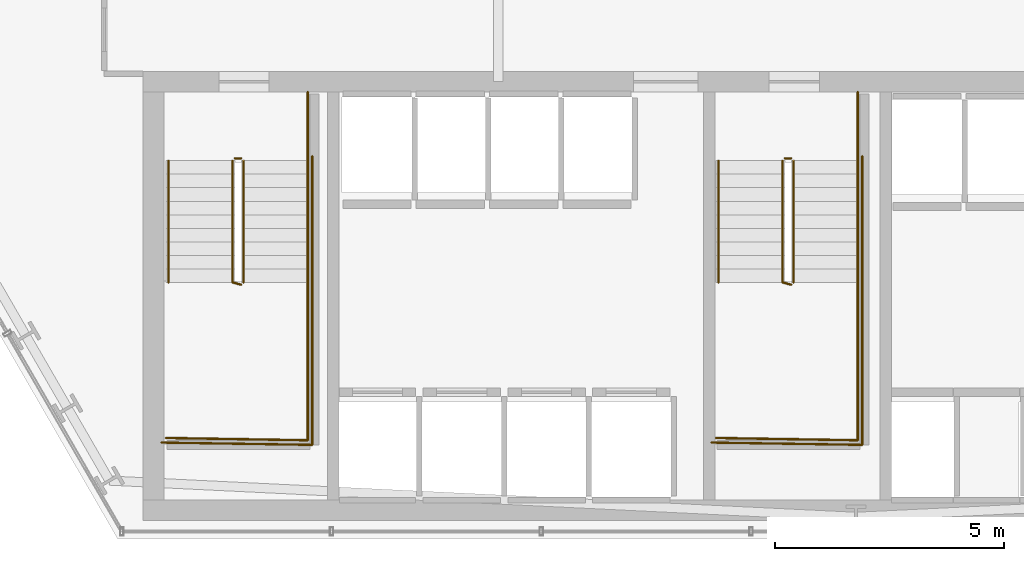
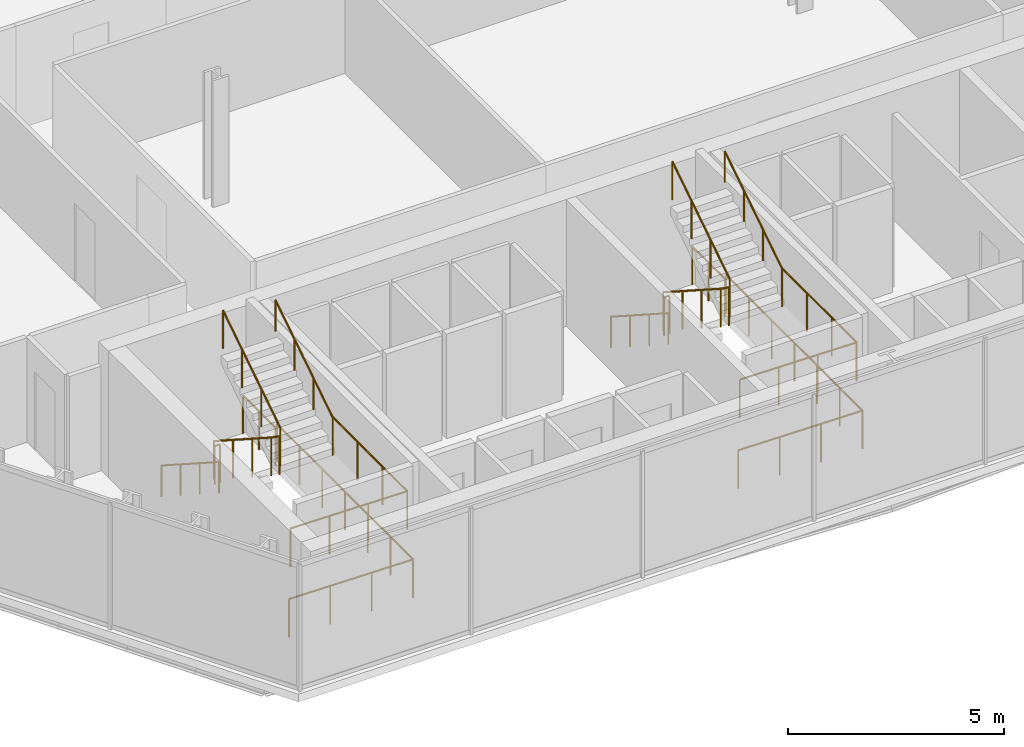
# One storey, part 30 of 32: 16 railings.
"""IFC4 building model written with IfcOpenShell, lengths in metres."""

from ifc_helpers import new_model, si_unit, direction, frame, origin, origin_2d, place, context, subcontext, project, spatial, circle, extrude, material, layer, layer_set, type_object, element, save


model = new_model("IFC4")

# Units and contexts
model_context = context("Model", 3, precision=1e-05, world=origin(), true_north=direction((0.0, 1.0)))
body_context = subcontext(model_context, "Body", "Model", "MODEL_VIEW")
ifc_project = project(units=[si_unit("LENGTHUNIT", "METRE"), si_unit("AREAUNIT", "SQUARE_METRE"), si_unit("VOLUMEUNIT", "CUBIC_METRE"), si_unit("PLANEANGLEUNIT", "RADIAN"), si_unit("MASSUNIT", "GRAM", prefix="KILO")], contexts=[model_context])

# Site, building, storey
site_placement = place(None, origin())
site = spatial("IfcSite", under=ifc_project, at=site_placement, CompositionType="ELEMENT")
building_placement = place(site_placement, origin())
building = spatial("IfcBuilding", under=site, at=building_placement, Name="Ndaravel Arena Tower", CompositionType="ELEMENT")
storey_placement = place(building_placement, frame((0.0, 0.0, 70.199951171875)))
storey = spatial("IfcBuildingStorey", under=building, at=storey_placement, Name="L15", CompositionType="ELEMENT", Elevation=70.199951171875)

# Railings
ifc_material_1 = material(Name="Steel S355", Category="steel")
ifc_layer_1 = layer(ifc_material_1, 0.06005859375)
ifc_layer_set_1 = layer_set([ifc_layer_1], Name="Steel S355")
railing_type_1 = type_object("IfcRailingType", Name="RAIL-STAIR-GD1100", PredefinedType="GUARDRAIL", material=ifc_layer_set_1)
railing_1_placement = place(storey_placement, frame((28.39990234375, 13.25, 0.18994140625)))
element("IfcRailing", 1, at=railing_1_placement, inside=storey, type_object=railing_type_1, Name="L15 ST-1 stair guard 1", PredefinedType="GUARDRAIL", context=body_context, shape_type="SweptSolid", body=[
    extrude(circle(Radius=0.02392578125, at=origin_2d()), frame((0.0, 0.0, 1.076171875), z_axis=(0.0, -0.840688348013, 0.541519253134), x_axis=(1.0, 0.0, 0.0)), (0.0, 0.0, 1.0), 3.158203125),
    extrude(circle(Radius=0.02392578125, at=origin_2d()), frame((0.0, -2.655029296875, 2.7861328125), z_axis=(0.967074537263, -0.25449329928, 0.0), x_axis=(0.25449329928, 0.967074537263, 0.0)), (0.0, 0.0, 1.0), 0.19677734375),
    extrude(circle(Radius=0.02099609375, at=origin_2d()), origin(), (0.0, 0.0, 1.0), 1.052001953125),
    extrude(circle(Radius=0.02099609375, at=origin_2d()), frame((0.0, -0.885009765625, 0.570068359375)), (0.0, 0.0, 1.0), 1.052001953125),
    extrude(circle(Radius=0.02099609375, at=origin_2d()), frame((0.0, -1.77001953125, 1.14013671875)), (0.0, 0.0, 1.0), 1.052001953125),
    extrude(circle(Radius=0.02099609375, at=origin_2d()), frame((0.0, -2.655029296875, 1.710205078125)), (0.0, 0.0, 1.0), 1.052001953125),
    extrude(circle(Radius=0.02099609375, at=origin_2d()), frame((0.190185546875, -2.705078125, 1.710205078125)), (0.0, 0.0, 1.0), 1.052001953125),
])
railing_2_placement = place(storey_placement, frame((30.0400390625, 10.594970703125, 1.900146484375)))
element("IfcRailing", 2, at=railing_2_placement, inside=storey, type_object=railing_type_1, Name="L15 ST-1 stair guard 2", PredefinedType="GUARDRAIL", context=body_context, shape_type="SweptSolid", body=[
    extrude(circle(Radius=0.02392578125, at=origin_2d()), frame((0.0, 0.0, 1.076171875), z_axis=(0.0, -1.0, 0.0), x_axis=(1.0, 0.0, 0.0)), (0.0, 0.0, 1.0), 3.445068359375),
    extrude(circle(Radius=0.02392578125, at=origin_2d()), frame((0.0, -3.445068359375, 1.076171875), z_axis=(-0.999868861343, 0.016194447071, 0.0), x_axis=(-0.016194447071, -0.999868861343, 0.0)), (0.0, 0.0, 1.0), 3.090576171875),
    extrude(circle(Radius=0.02099609375, at=origin_2d()), origin(), (0.0, 0.0, 1.0), 1.052001953125),
    extrude(circle(Radius=0.02099609375, at=origin_2d()), frame((0.0, -1.1484375, 0.0)), (0.0, 0.0, 1.0), 1.052001953125),
    extrude(circle(Radius=0.02099609375, at=origin_2d()), frame((0.0, -2.296630859375, 0.0)), (0.0, 0.0, 1.0), 1.052001953125),
    extrude(circle(Radius=0.02099609375, at=origin_2d()), frame((0.0, -3.445068359375, 0.0)), (0.0, 0.0, 1.0), 1.052001953125),
    extrude(circle(Radius=0.02099609375, at=origin_2d()), frame((-1.030029296875, -3.428466796875, 0.0)), (0.0, 0.0, 1.0), 1.052001953125),
    extrude(circle(Radius=0.02099609375, at=origin_2d()), frame((-2.06005859375, -3.41162109375, 0.0)), (0.0, 0.0, 1.0), 1.052001953125),
    extrude(circle(Radius=0.02099609375, at=origin_2d()), frame((-3.090087890625, -3.39501953125, 0.0)), (0.0, 0.0, 1.0), 1.052001953125),
])
railing_3_placement = place(storey_placement, frame((28.639892578125, 10.594970703125, 2.090087890625)))
element("IfcRailing", 3, at=railing_3_placement, inside=storey, type_object=railing_type_1, Name="L15 ST-1 stair guard 3", PredefinedType="GUARDRAIL", context=body_context, shape_type="SweptSolid", body=[
    extrude(circle(Radius=0.02392578125, at=origin_2d()), frame((0.0, 0.0, 1.076171875), z_axis=(0.0, 0.840723540582, 0.54146461409), x_axis=(-1.0, 0.0, 0.0)), (0.0, 0.0, 1.0), 3.157958984375),
    extrude(circle(Radius=0.02099609375, at=origin_2d()), origin(), (0.0, 0.0, 1.0), 1.052001953125),
    extrude(circle(Radius=0.02099609375, at=origin_2d()), frame((0.0, 0.885009765625, 0.570068359375)), (0.0, 0.0, 1.0), 1.052001953125),
    extrude(circle(Radius=0.02099609375, at=origin_2d()), frame((0.0, 1.77001953125, 1.139892578125)), (0.0, 0.0, 1.0), 1.052001953125),
    extrude(circle(Radius=0.02099609375, at=origin_2d()), frame((0.0, 2.655029296875, 1.7099609375)), (0.0, 0.0, 1.0), 1.052001953125),
])
railing_4_placement = place(storey_placement, frame((28.449951171875, 13.300048828125, 0.0)))
element("IfcRailing", 4, at=railing_4_placement, inside=storey, type_object=railing_type_1, Name="L15 ST-1 stair guard 4", PredefinedType="GUARDRAIL", context=body_context, shape_type="SweptSolid", body=[
    extrude(circle(Radius=0.02392578125, at=origin_2d()), frame((0.0, 0.0, 1.076171875), z_axis=(1.0, 0.0, 0.0), x_axis=(0.0, 1.0, 0.0)), (0.0, 0.0, 1.0), 0.14013671875),
    extrude(circle(Radius=0.02099609375, at=origin_2d()), origin(), (0.0, 0.0, 1.0), 1.052001953125),
    extrude(circle(Radius=0.02099609375, at=origin_2d()), frame((0.14013671875, 0.0, 0.0)), (0.0, 0.0, 1.0), 1.052001953125),
])
railing_5_placement = place(storey_placement, frame((30.0400390625, 14.75, 0.0)))
element("IfcRailing", 5, at=railing_5_placement, inside=storey, type_object=railing_type_1, Name="L15 ST-1 stair guard 5", PredefinedType="GUARDRAIL", context=body_context, shape_type="SweptSolid", body=[
    extrude(circle(Radius=0.02392578125, at=origin_2d()), frame((0.0, 0.0, 1.076171875), z_axis=(0.0, -1.0, 0.0), x_axis=(1.0, 0.0, 0.0)), (0.0, 0.0, 1.0), 1.5),
    extrude(circle(Radius=0.02099609375, at=origin_2d()), origin(), (0.0, 0.0, 1.0), 1.052001953125),
    extrude(circle(Radius=0.02099609375, at=origin_2d()), frame((0.0, -0.75, 0.0)), (0.0, 0.0, 1.0), 1.052001953125),
    extrude(circle(Radius=0.02099609375, at=origin_2d()), frame((0.0, -1.5, 0.0)), (0.0, 0.0, 1.0), 1.052001953125),
])
railing_6_placement = place(storey_placement, frame((30.139892578125, 13.35009765625, 0.0)))
element("IfcRailing", 6, at=railing_6_placement, inside=storey, type_object=railing_type_1, Name="L15 ST-1 stair guard 6", PredefinedType="GUARDRAIL", context=body_context, shape_type="SweptSolid", body=[
    extrude(circle(Radius=0.02392578125, at=origin_2d()), frame((0.0, 0.0, 1.076171875), z_axis=(0.0, -1.0, 0.0), x_axis=(1.0, 0.0, 0.0)), (0.0, 0.0, 1.0), 6.300048828125),
    extrude(circle(Radius=0.02392578125, at=origin_2d()), frame((0.0, -6.300048828125, 1.076171875), z_axis=(-0.999884296952, 0.015211597839, 0.0), x_axis=(-0.015211597839, -0.999884296952, 0.0)), (0.0, 0.0, 1.0), 3.290283203125),
    extrude(circle(Radius=0.02099609375, at=origin_2d()), origin(), (0.0, 0.0, 1.0), 1.052001953125),
    extrude(circle(Radius=0.02099609375, at=origin_2d()), frame((0.0, -1.050048828125, 0.0)), (0.0, 0.0, 1.0), 1.052001953125),
    extrude(circle(Radius=0.02099609375, at=origin_2d()), frame((0.0, -2.10009765625, 0.0)), (0.0, 0.0, 1.0), 1.052001953125),
    extrude(circle(Radius=0.02099609375, at=origin_2d()), frame((0.0, -3.14990234375, 0.0)), (0.0, 0.0, 1.0), 1.052001953125),
    extrude(circle(Radius=0.02099609375, at=origin_2d()), frame((0.0, -4.199951171875, 0.0)), (0.0, 0.0, 1.0), 1.052001953125),
    extrude(circle(Radius=0.02099609375, at=origin_2d()), frame((0.0, -5.25, 0.0)), (0.0, 0.0, 1.0), 1.052001953125),
    extrude(circle(Radius=0.02099609375, at=origin_2d()), frame((0.0, -6.300048828125, 0.0)), (0.0, 0.0, 1.0), 1.052001953125),
    extrude(circle(Radius=0.02099609375, at=origin_2d()), frame((-1.0966796875, -6.283447265625, 0.0)), (0.0, 0.0, 1.0), 1.052001953125),
    extrude(circle(Radius=0.02099609375, at=origin_2d()), frame((-2.193115234375, -6.2666015625, 0.0)), (0.0, 0.0, 1.0), 1.052001953125),
    extrude(circle(Radius=0.02099609375, at=origin_2d()), frame((-3.289794921875, -6.25, 0.0)), (0.0, 0.0, 1.0), 1.052001953125),
])
railing_7_placement = place(storey_placement, frame((40.39990234375, 13.25, 0.18994140625)))
element("IfcRailing", 7, at=railing_7_placement, inside=storey, type_object=railing_type_1, Name="L15 ST-2 stair guard 1", PredefinedType="GUARDRAIL", context=body_context, shape_type="SweptSolid", body=[
    extrude(circle(Radius=0.02392578125, at=origin_2d()), frame((0.0, 0.0, 1.076171875), z_axis=(0.0, -0.840688348013, 0.541519253134), x_axis=(1.0, 0.0, 0.0)), (0.0, 0.0, 1.0), 3.158203125),
    extrude(circle(Radius=0.02392578125, at=origin_2d()), frame((0.0, -2.655029296875, 2.7861328125), z_axis=(0.967074537263, -0.25449329928, 0.0), x_axis=(0.25449329928, 0.967074537263, 0.0)), (0.0, 0.0, 1.0), 0.19677734375),
    extrude(circle(Radius=0.02099609375, at=origin_2d()), origin(), (0.0, 0.0, 1.0), 1.052001953125),
    extrude(circle(Radius=0.02099609375, at=origin_2d()), frame((0.0, -0.885009765625, 0.570068359375)), (0.0, 0.0, 1.0), 1.052001953125),
    extrude(circle(Radius=0.02099609375, at=origin_2d()), frame((0.0, -1.77001953125, 1.14013671875)), (0.0, 0.0, 1.0), 1.052001953125),
    extrude(circle(Radius=0.02099609375, at=origin_2d()), frame((0.0, -2.655029296875, 1.710205078125)), (0.0, 0.0, 1.0), 1.052001953125),
    extrude(circle(Radius=0.02099609375, at=origin_2d()), frame((0.190185546875, -2.705078125, 1.710205078125)), (0.0, 0.0, 1.0), 1.052001953125),
])
railing_8_placement = place(storey_placement, frame((42.0400390625, 10.594970703125, 1.900146484375)))
element("IfcRailing", 8, at=railing_8_placement, inside=storey, type_object=railing_type_1, Name="L15 ST-2 stair guard 2", PredefinedType="GUARDRAIL", context=body_context, shape_type="SweptSolid", body=[
    extrude(circle(Radius=0.02392578125, at=origin_2d()), frame((0.0, 0.0, 1.076171875), z_axis=(0.0, -1.0, 0.0), x_axis=(1.0, 0.0, 0.0)), (0.0, 0.0, 1.0), 3.445068359375),
    extrude(circle(Radius=0.02392578125, at=origin_2d()), frame((0.0, -3.445068359375, 1.076171875), z_axis=(-0.999868861343, 0.016194447071, 0.0), x_axis=(-0.016194447071, -0.999868861343, 0.0)), (0.0, 0.0, 1.0), 3.090576171875),
    extrude(circle(Radius=0.02099609375, at=origin_2d()), origin(), (0.0, 0.0, 1.0), 1.052001953125),
    extrude(circle(Radius=0.02099609375, at=origin_2d()), frame((0.0, -1.1484375, 0.0)), (0.0, 0.0, 1.0), 1.052001953125),
    extrude(circle(Radius=0.02099609375, at=origin_2d()), frame((0.0, -2.296630859375, 0.0)), (0.0, 0.0, 1.0), 1.052001953125),
    extrude(circle(Radius=0.02099609375, at=origin_2d()), frame((0.0, -3.445068359375, 0.0)), (0.0, 0.0, 1.0), 1.052001953125),
    extrude(circle(Radius=0.02099609375, at=origin_2d()), frame((-1.030029296875, -3.428466796875, 0.0)), (0.0, 0.0, 1.0), 1.052001953125),
    extrude(circle(Radius=0.02099609375, at=origin_2d()), frame((-2.06005859375, -3.41162109375, 0.0)), (0.0, 0.0, 1.0), 1.052001953125),
    extrude(circle(Radius=0.02099609375, at=origin_2d()), frame((-3.090087890625, -3.39501953125, 0.0)), (0.0, 0.0, 1.0), 1.052001953125),
])
railing_9_placement = place(storey_placement, frame((40.639892578125, 10.594970703125, 2.090087890625)))
element("IfcRailing", 9, at=railing_9_placement, inside=storey, type_object=railing_type_1, Name="L15 ST-2 stair guard 3", PredefinedType="GUARDRAIL", context=body_context, shape_type="SweptSolid", body=[
    extrude(circle(Radius=0.02392578125, at=origin_2d()), frame((0.0, 0.0, 1.076171875), z_axis=(0.0, 0.840723540582, 0.54146461409), x_axis=(-1.0, 0.0, 0.0)), (0.0, 0.0, 1.0), 3.157958984375),
    extrude(circle(Radius=0.02099609375, at=origin_2d()), origin(), (0.0, 0.0, 1.0), 1.052001953125),
    extrude(circle(Radius=0.02099609375, at=origin_2d()), frame((0.0, 0.885009765625, 0.570068359375)), (0.0, 0.0, 1.0), 1.052001953125),
    extrude(circle(Radius=0.02099609375, at=origin_2d()), frame((0.0, 1.77001953125, 1.139892578125)), (0.0, 0.0, 1.0), 1.052001953125),
    extrude(circle(Radius=0.02099609375, at=origin_2d()), frame((0.0, 2.655029296875, 1.7099609375)), (0.0, 0.0, 1.0), 1.052001953125),
])
railing_10_placement = place(storey_placement, frame((40.449951171875, 13.300048828125, 0.0)))
element("IfcRailing", 10, at=railing_10_placement, inside=storey, type_object=railing_type_1, Name="L15 ST-2 stair guard 4", PredefinedType="GUARDRAIL", context=body_context, shape_type="SweptSolid", body=[
    extrude(circle(Radius=0.02392578125, at=origin_2d()), frame((0.0, 0.0, 1.076171875), z_axis=(1.0, 0.0, 0.0), x_axis=(0.0, 1.0, 0.0)), (0.0, 0.0, 1.0), 0.14013671875),
    extrude(circle(Radius=0.02099609375, at=origin_2d()), origin(), (0.0, 0.0, 1.0), 1.052001953125),
    extrude(circle(Radius=0.02099609375, at=origin_2d()), frame((0.14013671875, 0.0, 0.0)), (0.0, 0.0, 1.0), 1.052001953125),
])
railing_11_placement = place(storey_placement, frame((42.0400390625, 14.75, 0.0)))
element("IfcRailing", 11, at=railing_11_placement, inside=storey, type_object=railing_type_1, Name="L15 ST-2 stair guard 5", PredefinedType="GUARDRAIL", context=body_context, shape_type="SweptSolid", body=[
    extrude(circle(Radius=0.02392578125, at=origin_2d()), frame((0.0, 0.0, 1.076171875), z_axis=(0.0, -1.0, 0.0), x_axis=(1.0, 0.0, 0.0)), (0.0, 0.0, 1.0), 1.5),
    extrude(circle(Radius=0.02099609375, at=origin_2d()), origin(), (0.0, 0.0, 1.0), 1.052001953125),
    extrude(circle(Radius=0.02099609375, at=origin_2d()), frame((0.0, -0.75, 0.0)), (0.0, 0.0, 1.0), 1.052001953125),
    extrude(circle(Radius=0.02099609375, at=origin_2d()), frame((0.0, -1.5, 0.0)), (0.0, 0.0, 1.0), 1.052001953125),
])
railing_12_placement = place(storey_placement, frame((42.139892578125, 13.35009765625, 0.0)))
element("IfcRailing", 12, at=railing_12_placement, inside=storey, type_object=railing_type_1, Name="L15 ST-2 stair guard 6", PredefinedType="GUARDRAIL", context=body_context, shape_type="SweptSolid", body=[
    extrude(circle(Radius=0.02392578125, at=origin_2d()), frame((0.0, 0.0, 1.076171875), z_axis=(0.0, -1.0, 0.0), x_axis=(1.0, 0.0, 0.0)), (0.0, 0.0, 1.0), 6.300048828125),
    extrude(circle(Radius=0.02392578125, at=origin_2d()), frame((0.0, -6.300048828125, 1.076171875), z_axis=(-0.999884296952, 0.015211597839, 0.0), x_axis=(-0.015211597839, -0.999884296952, 0.0)), (0.0, 0.0, 1.0), 3.290283203125),
    extrude(circle(Radius=0.02099609375, at=origin_2d()), origin(), (0.0, 0.0, 1.0), 1.052001953125),
    extrude(circle(Radius=0.02099609375, at=origin_2d()), frame((0.0, -1.050048828125, 0.0)), (0.0, 0.0, 1.0), 1.052001953125),
    extrude(circle(Radius=0.02099609375, at=origin_2d()), frame((0.0, -2.10009765625, 0.0)), (0.0, 0.0, 1.0), 1.052001953125),
    extrude(circle(Radius=0.02099609375, at=origin_2d()), frame((0.0, -3.14990234375, 0.0)), (0.0, 0.0, 1.0), 1.052001953125),
    extrude(circle(Radius=0.02099609375, at=origin_2d()), frame((0.0, -4.199951171875, 0.0)), (0.0, 0.0, 1.0), 1.052001953125),
    extrude(circle(Radius=0.02099609375, at=origin_2d()), frame((0.0, -5.25, 0.0)), (0.0, 0.0, 1.0), 1.052001953125),
    extrude(circle(Radius=0.02099609375, at=origin_2d()), frame((0.0, -6.300048828125, 0.0)), (0.0, 0.0, 1.0), 1.052001953125),
    extrude(circle(Radius=0.02099609375, at=origin_2d()), frame((-1.0966796875, -6.283447265625, 0.0)), (0.0, 0.0, 1.0), 1.052001953125),
    extrude(circle(Radius=0.02099609375, at=origin_2d()), frame((-2.193115234375, -6.2666015625, 0.0)), (0.0, 0.0, 1.0), 1.052001953125),
    extrude(circle(Radius=0.02099609375, at=origin_2d()), frame((-3.289794921875, -6.25, 0.0)), (0.0, 0.0, 1.0), 1.052001953125),
])
ifc_material_2 = material(Name="Steel S355", Category="steel")
ifc_layer_2 = layer(ifc_material_2, 0.050048828125)
ifc_layer_set_2 = layer_set([ifc_layer_2], Name="Steel S355")
railing_type_2 = type_object("IfcRailingType", Name="RAIL-STAIR-HR920", PredefinedType="HANDRAIL", material=ifc_layer_set_2)
railing_13_placement = place(storey_placement, frame((27.0, 13.25, 0.18994140625)))
element("IfcRailing", 13, at=railing_13_placement, inside=storey, type_object=railing_type_2, Name="L15 ST-1 stair handrail 1", PredefinedType="HANDRAIL", context=body_context, shape_type="SweptSolid", body=[
    extrude(circle(Radius=0.02392578125, at=origin_2d()), frame((0.0, 0.0, 0.8759765625), z_axis=(0.0, -0.840688348013, 0.541519253134), x_axis=(1.0, 0.0, 0.0)), (0.0, 0.0, 1.0), 3.158203125),
    extrude(circle(Radius=0.02099609375, at=origin_2d()), origin(), (0.0, 0.0, 1.0), 0.851806640625),
    extrude(circle(Radius=0.02099609375, at=origin_2d()), frame((0.0, -0.885009765625, 0.570068359375)), (0.0, 0.0, 1.0), 0.851806640625),
    extrude(circle(Radius=0.02099609375, at=origin_2d()), frame((0.0, -1.77001953125, 1.14013671875)), (0.0, 0.0, 1.0), 0.851806640625),
    extrude(circle(Radius=0.02099609375, at=origin_2d()), frame((0.0, -2.655029296875, 1.710205078125)), (0.0, 0.0, 1.0), 0.851806640625),
])
railing_14_placement = place(storey_placement, frame((30.0400390625, 10.594970703125, 2.090087890625)))
element("IfcRailing", 14, at=railing_14_placement, inside=storey, type_object=railing_type_2, Name="L15 ST-1 stair handrail 2", PredefinedType="HANDRAIL", context=body_context, shape_type="SweptSolid", body=[
    extrude(circle(Radius=0.02392578125, at=origin_2d()), frame((0.0, 0.0, 0.8759765625), z_axis=(0.0, 0.840723540582, 0.54146461409), x_axis=(-1.0, 0.0, 0.0)), (0.0, 0.0, 1.0), 3.157958984375),
    extrude(circle(Radius=0.02099609375, at=origin_2d()), origin(), (0.0, 0.0, 1.0), 0.851806640625),
    extrude(circle(Radius=0.02099609375, at=origin_2d()), frame((0.0, 0.885009765625, 0.570068359375)), (0.0, 0.0, 1.0), 0.851806640625),
    extrude(circle(Radius=0.02099609375, at=origin_2d()), frame((0.0, 1.77001953125, 1.139892578125)), (0.0, 0.0, 1.0), 0.851806640625),
    extrude(circle(Radius=0.02099609375, at=origin_2d()), frame((0.0, 2.655029296875, 1.7099609375)), (0.0, 0.0, 1.0), 0.851806640625),
])
railing_15_placement = place(storey_placement, frame((39.0, 13.25, 0.18994140625)))
element("IfcRailing", 15, at=railing_15_placement, inside=storey, type_object=railing_type_2, Name="L15 ST-2 stair handrail 1", PredefinedType="HANDRAIL", context=body_context, shape_type="SweptSolid", body=[
    extrude(circle(Radius=0.02392578125, at=origin_2d()), frame((0.0, 0.0, 0.8759765625), z_axis=(0.0, -0.840688348013, 0.541519253134), x_axis=(1.0, 0.0, 0.0)), (0.0, 0.0, 1.0), 3.158203125),
    extrude(circle(Radius=0.02099609375, at=origin_2d()), origin(), (0.0, 0.0, 1.0), 0.851806640625),
    extrude(circle(Radius=0.02099609375, at=origin_2d()), frame((0.0, -0.885009765625, 0.570068359375)), (0.0, 0.0, 1.0), 0.851806640625),
    extrude(circle(Radius=0.02099609375, at=origin_2d()), frame((0.0, -1.77001953125, 1.14013671875)), (0.0, 0.0, 1.0), 0.851806640625),
    extrude(circle(Radius=0.02099609375, at=origin_2d()), frame((0.0, -2.655029296875, 1.710205078125)), (0.0, 0.0, 1.0), 0.851806640625),
])
railing_16_placement = place(storey_placement, frame((42.0400390625, 10.594970703125, 2.090087890625)))
element("IfcRailing", 16, at=railing_16_placement, inside=storey, type_object=railing_type_2, Name="L15 ST-2 stair handrail 2", PredefinedType="HANDRAIL", context=body_context, shape_type="SweptSolid", body=[
    extrude(circle(Radius=0.02392578125, at=origin_2d()), frame((0.0, 0.0, 0.8759765625), z_axis=(0.0, 0.840723540582, 0.54146461409), x_axis=(-1.0, 0.0, 0.0)), (0.0, 0.0, 1.0), 3.157958984375),
    extrude(circle(Radius=0.02099609375, at=origin_2d()), origin(), (0.0, 0.0, 1.0), 0.851806640625),
    extrude(circle(Radius=0.02099609375, at=origin_2d()), frame((0.0, 0.885009765625, 0.570068359375)), (0.0, 0.0, 1.0), 0.851806640625),
    extrude(circle(Radius=0.02099609375, at=origin_2d()), frame((0.0, 1.77001953125, 1.139892578125)), (0.0, 0.0, 1.0), 0.851806640625),
    extrude(circle(Radius=0.02099609375, at=origin_2d()), frame((0.0, 2.655029296875, 1.7099609375)), (0.0, 0.0, 1.0), 0.851806640625),
])

save(model, "model.ifc")
